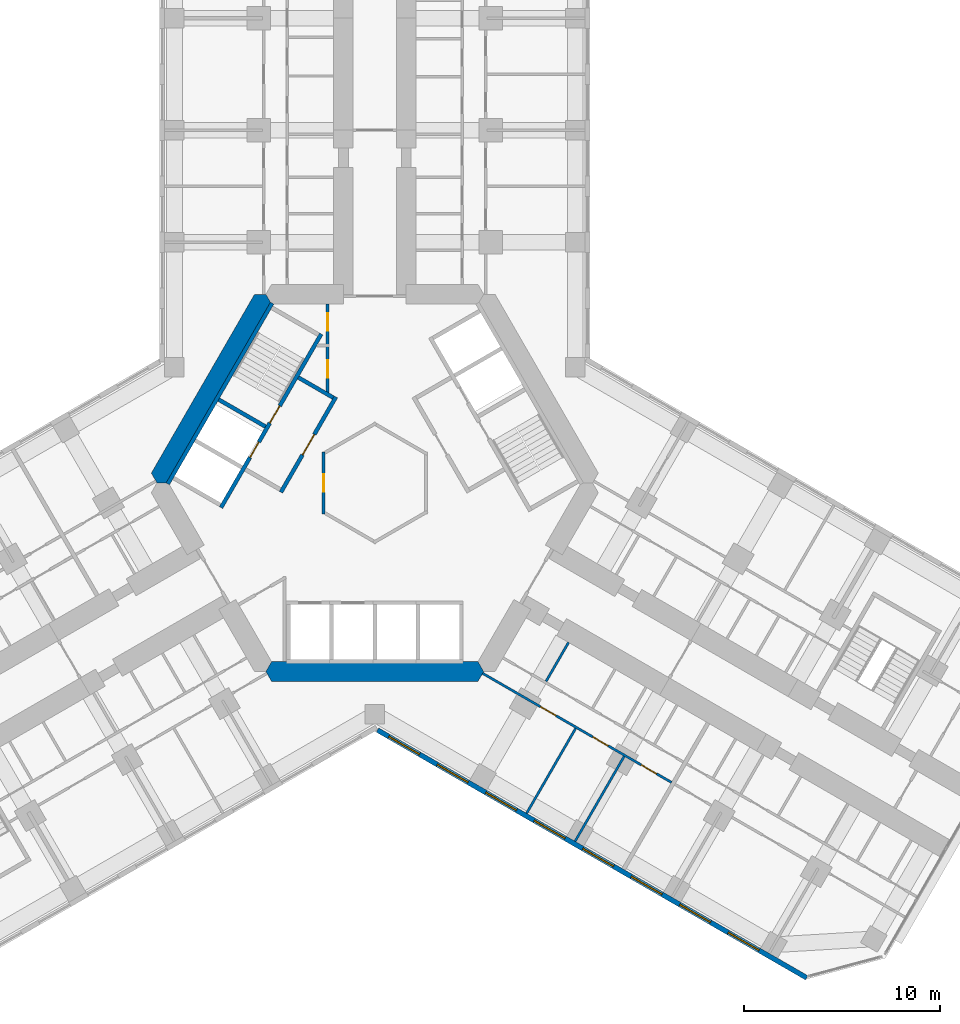
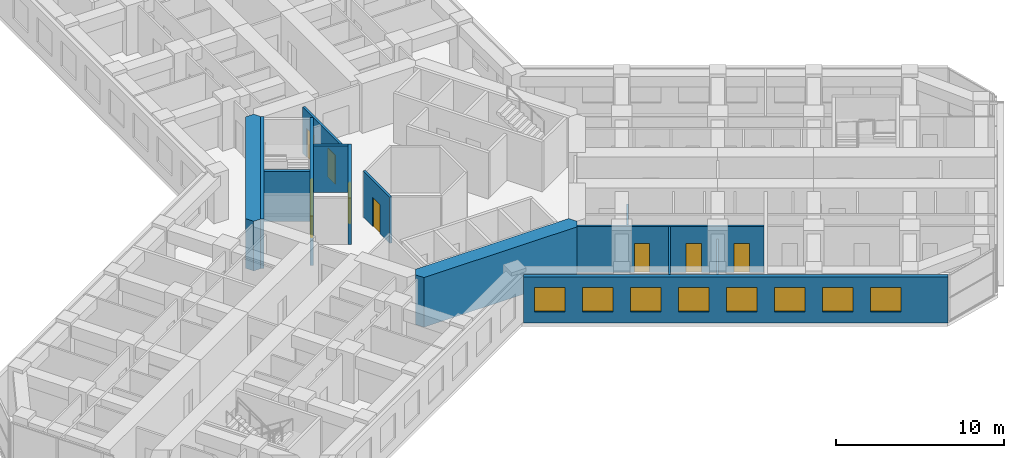
# One storey, part 13 of 21: 14 walls, 9 doors, 8 windows, 17 openings.
"""IFC4 building model written with IfcOpenShell, lengths in metres."""

from ifc_helpers import new_model, si_unit, direction, frame, frame_2d, origin, place, context, subcontext, project, spatial, polyline, rectangle, outline, extrude, material, layer, layer_set, type_object, element, fill, save


model = new_model("IFC4")

# Units and contexts
model_context = context("Model", 3, precision=1e-05, world=origin(), true_north=direction((0.0, 1.0)))
body_context = subcontext(model_context, "Body", "Model", "MODEL_VIEW")
ifc_project = project(units=[si_unit("LENGTHUNIT", "METRE"), si_unit("AREAUNIT", "SQUARE_METRE"), si_unit("VOLUMEUNIT", "CUBIC_METRE"), si_unit("PLANEANGLEUNIT", "RADIAN"), si_unit("MASSUNIT", "GRAM", prefix="KILO")], contexts=[model_context])

# Site, building, storey
site_placement = place(None, origin())
site = spatial("IfcSite", under=ifc_project, at=site_placement, CompositionType="ELEMENT")
building_placement = place(site_placement, origin())
building = spatial("IfcBuilding", under=site, at=building_placement, Name="Kosmar Iwan School Tower", CompositionType="ELEMENT")
storey_placement = place(building_placement, frame((0.0, 0.0, 53.800048828125)))
storey = spatial("IfcBuildingStorey", under=building, at=storey_placement, Name="L12", CompositionType="ELEMENT", Elevation=53.800048828125)

# Wall, openings, doors
ifc_material_1 = material(Name="Gypsum board on steel studs, fire-rated", Category="steel")
ifc_layer_1 = layer(ifc_material_1, 0.14990234375)
ifc_layer_set_1 = layer_set([ifc_layer_1], Name="Core room partition 150")
wall_type_1 = type_object("IfcWallType", Name="Core room partition 150", PredefinedType="PARTITIONING", material=ifc_layer_set_1)
wall_1_placement = place(storey_placement, frame((-2.39990234375, 9.094970703125, 0.0), z_axis=(0.0, 0.0, 1.0), x_axis=(0.0, -1.0, 0.0)))
wall_1 = element("IfcWall", 1, at=wall_1_placement, inside=storey, type_object=wall_type_1, Name="Core room partition L12-CW1", PredefinedType="PARTITIONING", context=body_context, shape_type="SweptSolid", body=[
    extrude(rectangle(XDim=4.564208984375, YDim=0.14990234375, at=frame_2d((2.2822265625, 0.0))), origin(), (0.0, 0.0, 1.0), 3.349853515625),
])
opening_1_placement = place(wall_1_placement, frame((0.455078125, 0.0, 0.0)))
opening_1 = element("IfcOpeningElement", 2, at=opening_1_placement, cuts=wall_1, Name="Opening D14", PredefinedType="OPENING", context=body_context, shape_type="SweptSolid", body=[
    extrude(rectangle(XDim=0.89990234375, YDim=2.10009765625, at=frame_2d((0.449951171875, 1.050048828125))), frame((0.0, 0.0869140625, 0.0), z_axis=(0.0, -1.0, 0.0), x_axis=(1.0, 0.0, 0.0)), (0.0, 0.0, 1.0), 0.173828125),
])
opening_2_placement = place(wall_1_placement, frame((2.85498046875, 0.0, 0.0)))
opening_2 = element("IfcOpeningElement", 3, at=opening_2_placement, cuts=wall_1, Name="Opening D14", PredefinedType="OPENING", context=body_context, shape_type="SweptSolid", body=[
    extrude(rectangle(XDim=0.89990234375, YDim=2.10009765625, at=frame_2d((0.449951171875, 1.050048828125))), frame((0.0, 0.0869140625, 0.0), z_axis=(0.0, -1.0, 0.0), x_axis=(1.0, 0.0, 0.0)), (0.0, 0.0, 1.0), 0.173828125),
])
ifc_material_2 = material(Name="Timber fire door in steel frame", Category="steel")
door_type_1 = type_object("IfcDoorType", Name="Core room door 900x2100", OperationType="SINGLE_SWING_LEFT", PredefinedType="DOOR", material=ifc_material_2)
door_1_placement = place(opening_1_placement, origin())
door_1 = element("IfcDoor", 4, at=door_1_placement, inside=storey, type_object=door_type_1, Name="Electrical riser and switch room door L12 1", OperationType="SINGLE_SWING_LEFT", OverallHeight=2.10009765625, OverallWidth=0.89990234375, PredefinedType="DOOR", context=body_context, shape_type="SweptSolid", body=[
    extrude(rectangle(XDim=0.89990234375, YDim=2.10009765625, at=frame_2d((0.449951171875, 1.050048828125))), frame((0.0, 0.02490234375, 0.0), z_axis=(0.0, -1.0, 0.0), x_axis=(1.0, 0.0, 0.0)), (0.0, 0.0, 1.0), 0.050048828125),
])
fill(opening_1, door_1)
door_2_placement = place(opening_2_placement, origin())
door_2 = element("IfcDoor", 5, at=door_2_placement, inside=storey, type_object=door_type_1, Name="Plumbing and wet riser door L12 2", OperationType="SINGLE_SWING_RIGHT", OverallHeight=2.10009765625, OverallWidth=0.89990234375, PredefinedType="DOOR", context=body_context, shape_type="SweptSolid", body=[
    extrude(rectangle(XDim=0.89990234375, YDim=2.10009765625, at=frame_2d((0.449951171875, 1.050048828125))), frame((0.0, 0.02490234375, 0.0), z_axis=(0.0, -1.0, 0.0), x_axis=(1.0, 0.0, 0.0)), (0.0, 0.0, 1.0), 0.050048828125),
])
fill(opening_2, door_2)

# Wall, opening, door
wall_2_placement = place(storey_placement, frame((-2.60009765625, -1.576171875, 0.0), z_axis=(0.0, 0.0, 1.0), x_axis=(0.0, 1.0, 0.0)))
wall_2 = element("IfcWall", 6, at=wall_2_placement, inside=storey, type_object=wall_type_1, Name="Core room partition L12-CW6", PredefinedType="PARTITIONING", context=body_context, shape_type="SweptSolid", body=[
    extrude(rectangle(XDim=3.15234375, YDim=0.14990234375, at=frame_2d((1.576171875, 0.0))), origin(), (0.0, 0.0, 1.0), 3.349853515625),
])
opening_3_placement = place(wall_2_placement, frame((1.1259765625, 0.0, 0.0)))
opening_3 = element("IfcOpeningElement", 7, at=opening_3_placement, cuts=wall_2, Name="Opening D14", PredefinedType="OPENING", context=body_context, shape_type="SweptSolid", body=[
    extrude(rectangle(XDim=0.89990234375, YDim=2.10009765625, at=frame_2d((0.449951171875, 1.050048828125))), frame((0.0, 0.0869140625, 0.0), z_axis=(0.0, -1.0, 0.0), x_axis=(1.0, 0.0, 0.0)), (0.0, 0.0, 1.0), 0.173828125),
])
door_3_placement = place(opening_3_placement, origin())
door_3 = element("IfcDoor", 8, at=door_3_placement, inside=storey, type_object=door_type_1, Name="Residents' laundry room door L12 3", OperationType="SINGLE_SWING_RIGHT", OverallHeight=2.10009765625, OverallWidth=0.89990234375, PredefinedType="DOOR", context=body_context, shape_type="SweptSolid", body=[
    extrude(rectangle(XDim=0.89990234375, YDim=2.10009765625, at=frame_2d((0.449951171875, 1.050048828125))), frame((0.0, 0.02490234375, 0.0), z_axis=(0.0, -1.0, 0.0), x_axis=(1.0, 0.0, 0.0)), (0.0, 0.0, 1.0), 0.050048828125),
])
fill(opening_3, door_3)

# Walls
ifc_material_3 = material(Name="Concrete C50/60", Category="concrete")
ifc_layer_2 = layer(ifc_material_3, 1.0)
ifc_layer_set_2 = layer_set([ifc_layer_2], Name="Core wall 1000")
wall_type_2 = type_object("IfcWallType", Name="Core wall 1000", PredefinedType="SHEAR", material=ifc_layer_set_2)
wall_3_placement = place(storey_placement, origin())
element("IfcWall", 9, at=wall_3_placement, inside=storey, type_object=wall_type_2, Name="Core wall F150", PredefinedType="SHEAR", context=body_context, shape_type="SweptSolid", body=[
    extrude(outline(polyline([(-11.085205078125, 0.0), (-10.5078125, 0.0), (-5.25390625, 9.10009765625), (-5.54248046875, 9.60009765625), (-6.119873046875, 9.60009765625), (-11.373779296875, 0.5), (-11.085205078125, 0.0)])), origin(), (0.0, 0.0, 1.0), 3.599853515625),
])
wall_4_placement = place(storey_placement, origin())
element("IfcWall", 10, at=wall_4_placement, inside=storey, type_object=wall_type_2, Name="Core wall F270", PredefinedType="SHEAR", context=body_context, shape_type="SweptSolid", body=[
    extrude(outline(polyline([(-5.25390625, -10.10009765625), (5.25390625, -10.10009765625), (5.54248046875, -9.60009765625), (5.25390625, -9.10009765625), (-5.25390625, -9.10009765625), (-5.54248046875, -9.60009765625), (-5.25390625, -10.10009765625)])), origin(), (0.0, 0.0, 1.0), 3.599853515625),
])

# Wall, openings, doors
ifc_material_4 = material(Name="Gypsum board on steel studs", Category="steel")
ifc_layer_3 = layer(ifc_material_4, 0.1201171875)
ifc_layer_set_3 = layer_set([ifc_layer_3], Name="Dwelling partition 120")
wall_type_3 = type_object("IfcWallType", Name="Dwelling partition 120", PredefinedType="PARTITIONING", material=ifc_layer_set_3)
wall_5_placement = place(storey_placement, frame((5.48876953125, -9.693115234375, 0.0), z_axis=(0.0, 0.0, 1.0), x_axis=(0.866026992824, -0.499997247692, 0.0)))
wall_5 = element("IfcWall", 11, at=wall_5_placement, inside=storey, type_object=wall_type_3, Name="Partition L12-CR1-W2", PredefinedType="PARTITIONING", context=body_context, shape_type="SweptSolid", body=[
    extrude(rectangle(XDim=11.10009765625, YDim=0.1201171875, at=frame_2d((5.550048828125, 0.0))), origin(), (0.0, 0.0, 1.0), 3.349853515625),
])
opening_4_placement = place(wall_5_placement, frame((3.39990234375, 0.0, 0.0)))
opening_4 = element("IfcOpeningElement", 12, at=opening_4_placement, cuts=wall_5, Name="Opening D2", PredefinedType="OPENING", context=body_context, shape_type="SweptSolid", body=[
    extrude(rectangle(XDim=0.89990234375, YDim=2.10009765625, at=frame_2d((0.449951171875, 1.050048828125))), frame((0.0, 0.072021484375, 0.0), z_axis=(0.0, -1.0, 0.0), x_axis=(1.0, 0.0, 0.0)), (0.0, 0.0, 1.0), 0.14404296875),
])
opening_5_placement = place(wall_5_placement, frame((6.47509765625, 0.0, 0.0)))
opening_5 = element("IfcOpeningElement", 13, at=opening_5_placement, cuts=wall_5, Name="Opening D2", PredefinedType="OPENING", context=body_context, shape_type="SweptSolid", body=[
    extrude(rectangle(XDim=0.89990234375, YDim=2.10009765625, at=frame_2d((0.449951171875, 1.050048828125))), frame((0.0, 0.072021484375, 0.0), z_axis=(0.0, -1.0, 0.0), x_axis=(1.0, 0.0, 0.0)), (0.0, 0.0, 1.0), 0.14404296875),
])
opening_6_placement = place(wall_5_placement, frame((9.324951171875, 0.0, 0.0)))
opening_6 = element("IfcOpeningElement", 14, at=opening_6_placement, cuts=wall_5, Name="Opening D2", PredefinedType="OPENING", context=body_context, shape_type="SweptSolid", body=[
    extrude(rectangle(XDim=0.89990234375, YDim=2.10009765625, at=frame_2d((0.449951171875, 1.050048828125))), frame((0.0, 0.072021484375, 0.0), z_axis=(0.0, -1.0, 0.0), x_axis=(1.0, 0.0, 0.0)), (0.0, 0.0, 1.0), 0.14404296875),
])
ifc_material_5 = material(Name="Timber door in timber frame", Category="wood")
door_type_2 = type_object("IfcDoorType", Name="Internal door 900x2100", OperationType="SINGLE_SWING_LEFT", PredefinedType="DOOR", material=ifc_material_5)
door_4_placement = place(opening_4_placement, origin())
door_4 = element("IfcDoor", 15, at=door_4_placement, inside=storey, type_object=door_type_2, Name="Living room and kitchen door L12-CR1-F1", OperationType="SINGLE_SWING_LEFT", OverallHeight=2.10009765625, OverallWidth=0.89990234375, PredefinedType="DOOR", context=body_context, shape_type="SweptSolid", body=[
    extrude(rectangle(XDim=0.89990234375, YDim=2.10009765625, at=frame_2d((0.449951171875, 1.050048828125))), frame((0.0, 0.02490234375, 0.0), z_axis=(0.0, -1.0, 0.0), x_axis=(1.0, 0.0, 0.0)), (0.0, 0.0, 1.0), 0.050048828125),
])
fill(opening_4, door_4)
door_5_placement = place(opening_5_placement, origin())
door_5 = element("IfcDoor", 16, at=door_5_placement, inside=storey, type_object=door_type_2, Name="Bedroom 1 door L12-CR1-F2", OperationType="SINGLE_SWING_RIGHT", OverallHeight=2.10009765625, OverallWidth=0.89990234375, PredefinedType="DOOR", context=body_context, shape_type="SweptSolid", body=[
    extrude(rectangle(XDim=0.89990234375, YDim=2.10009765625, at=frame_2d((0.449951171875, 1.050048828125))), frame((0.0, 0.02490234375, 0.0), z_axis=(0.0, -1.0, 0.0), x_axis=(1.0, 0.0, 0.0)), (0.0, 0.0, 1.0), 0.050048828125),
])
fill(opening_5, door_5)
door_6_placement = place(opening_6_placement, origin())
door_6 = element("IfcDoor", 17, at=door_6_placement, inside=storey, type_object=door_type_2, Name="Bedroom 2 door L12-CR1-F3", OperationType="SINGLE_SWING_RIGHT", OverallHeight=2.10009765625, OverallWidth=0.89990234375, PredefinedType="DOOR", context=body_context, shape_type="SweptSolid", body=[
    extrude(rectangle(XDim=0.89990234375, YDim=2.10009765625, at=frame_2d((0.449951171875, 1.050048828125))), frame((0.0, 0.02490234375, 0.0), z_axis=(0.0, -1.0, 0.0), x_axis=(1.0, 0.0, 0.0)), (0.0, 0.0, 1.0), 0.050048828125),
])
fill(opening_6, door_6)

# Walls
wall_6_placement = place(storey_placement, frame((10.221923828125, -12.4951171875, 0.0), z_axis=(0.0, 0.0, 1.0), x_axis=(-0.499996339024, -0.86602751744, 0.0)))
element("IfcWall", 18, at=wall_6_placement, inside=storey, type_object=wall_type_3, Name="Partition L12-CR1-X1", PredefinedType="PARTITIONING", context=body_context, shape_type="SweptSolid", body=[
    extrude(rectangle(XDim=4.98974609375, YDim=0.1201171875, at=frame_2d((2.494873046875, 0.0))), origin(), (0.0, 0.0, 1.0), 3.349853515625),
])
wall_7_placement = place(storey_placement, frame((12.690185546875, -13.919921875, 0.0), z_axis=(0.0, 0.0, 1.0), x_axis=(-0.500011847778, -0.866018563358, 0.0)))
element("IfcWall", 19, at=wall_7_placement, inside=storey, type_object=wall_type_3, Name="Partition L12-CR1-X2", PredefinedType="PARTITIONING", context=body_context, shape_type="SweptSolid", body=[
    extrude(rectangle(XDim=4.990234375, YDim=0.1201171875, at=frame_2d((2.4951171875, 0.0))), origin(), (0.0, 0.0, 1.0), 2.449951171875),
])
wall_8_placement = place(storey_placement, frame((9.86181640625, -8.11865234375, 0.0), z_axis=(0.0, 0.0, 1.0), x_axis=(-0.500014693593, -0.866016920268, 0.0)))
element("IfcWall", 20, at=wall_8_placement, inside=storey, type_object=wall_type_3, Name="Partition L12-CR1-Y1", PredefinedType="PARTITIONING", context=body_context, shape_type="SweptSolid", body=[
    extrude(rectangle(XDim=2.2900390625, YDim=0.1201171875, at=frame_2d((1.14501953125, 0.0))), origin(), (0.0, 0.0, 1.0), 2.449951171875),
])

# Wall, openings, windows
ifc_material_6 = material(Name="Black aluminium rainscreen on insulated framing", Category="aluminium")
ifc_layer_4 = layer(ifc_material_6, 0.25)
ifc_layer_set_4 = layer_set([ifc_layer_4], Name="External wall rainscreen 250")
wall_type_4 = type_object("IfcWallType", Name="External wall rainscreen 250", PredefinedType="SOLIDWALL", material=ifc_layer_set_4)
wall_9_placement = place(storey_placement, frame((0.137939453125, -12.5791015625, 0.0), z_axis=(0.0, 0.0, 1.0), x_axis=(0.866023775649, -0.500002820003, 0.0)))
wall_9 = element("IfcWall", 21, at=wall_9_placement, inside=storey, type_object=wall_type_4, Name="External wall CR L12", PredefinedType="SOLIDWALL", context=body_context, shape_type="SweptSolid", body=[
    extrude(rectangle(XDim=25.226318359375, YDim=0.25, at=frame_2d((12.61328125, 0.0))), origin(), (0.0, 0.0, 1.0), 3.349853515625),
])
opening_7_placement = place(wall_9_placement, frame((0.666015625, 0.0, 0.800048828125)))
opening_7 = element("IfcOpeningElement", 22, at=opening_7_placement, cuts=wall_9, Name="Opening W1", PredefinedType="OPENING", context=body_context, shape_type="SweptSolid", body=[
    extrude(rectangle(XDim=1.800048828125, YDim=1.800048828125, at=frame_2d((0.89990234375, 0.89990234375))), frame((0.0, 0.136962890625, 0.0), z_axis=(0.0, -1.0, 0.0), x_axis=(1.0, 0.0, 0.0)), (0.0, 0.0, 1.0), 0.27392578125),
])
opening_8_placement = place(wall_9_placement, frame((3.51611328125, 0.0, 0.800048828125)))
opening_8 = element("IfcOpeningElement", 23, at=opening_8_placement, cuts=wall_9, Name="Opening W1", PredefinedType="OPENING", context=body_context, shape_type="SweptSolid", body=[
    extrude(rectangle(XDim=1.800048828125, YDim=1.800048828125, at=frame_2d((0.89990234375, 0.89990234375))), frame((0.0, 0.136962890625, 0.0), z_axis=(0.0, -1.0, 0.0), x_axis=(1.0, 0.0, 0.0)), (0.0, 0.0, 1.0), 0.27392578125),
])
opening_9_placement = place(wall_9_placement, frame((6.365966796875, 0.0, 0.800048828125)))
opening_9 = element("IfcOpeningElement", 24, at=opening_9_placement, cuts=wall_9, Name="Opening W1", PredefinedType="OPENING", context=body_context, shape_type="SweptSolid", body=[
    extrude(rectangle(XDim=1.800048828125, YDim=1.800048828125, at=frame_2d((0.89990234375, 0.89990234375))), frame((0.0, 0.136962890625, 0.0), z_axis=(0.0, -1.0, 0.0), x_axis=(1.0, 0.0, 0.0)), (0.0, 0.0, 1.0), 0.27392578125),
])
opening_10_placement = place(wall_9_placement, frame((9.216064453125, 0.0, 0.800048828125)))
opening_10 = element("IfcOpeningElement", 25, at=opening_10_placement, cuts=wall_9, Name="Opening W1", PredefinedType="OPENING", context=body_context, shape_type="SweptSolid", body=[
    extrude(rectangle(XDim=1.800048828125, YDim=1.800048828125, at=frame_2d((0.89990234375, 0.89990234375))), frame((0.0, 0.136962890625, 0.0), z_axis=(0.0, -1.0, 0.0), x_axis=(1.0, 0.0, 0.0)), (0.0, 0.0, 1.0), 0.27392578125),
])
opening_11_placement = place(wall_9_placement, frame((12.06591796875, 0.0, 0.800048828125)))
opening_11 = element("IfcOpeningElement", 26, at=opening_11_placement, cuts=wall_9, Name="Opening W1", PredefinedType="OPENING", context=body_context, shape_type="SweptSolid", body=[
    extrude(rectangle(XDim=1.800048828125, YDim=1.800048828125, at=frame_2d((0.89990234375, 0.89990234375))), frame((0.0, 0.136962890625, 0.0), z_axis=(0.0, -1.0, 0.0), x_axis=(1.0, 0.0, 0.0)), (0.0, 0.0, 1.0), 0.27392578125),
])
opening_12_placement = place(wall_9_placement, frame((14.916015625, 0.0, 0.800048828125)))
opening_12 = element("IfcOpeningElement", 27, at=opening_12_placement, cuts=wall_9, Name="Opening W1", PredefinedType="OPENING", context=body_context, shape_type="SweptSolid", body=[
    extrude(rectangle(XDim=1.800048828125, YDim=1.800048828125, at=frame_2d((0.89990234375, 0.89990234375))), frame((0.0, 0.136962890625, 0.0), z_axis=(0.0, -1.0, 0.0), x_axis=(1.0, 0.0, 0.0)), (0.0, 0.0, 1.0), 0.27392578125),
])
opening_13_placement = place(wall_9_placement, frame((17.76611328125, 0.0, 0.800048828125)))
opening_13 = element("IfcOpeningElement", 28, at=opening_13_placement, cuts=wall_9, Name="Opening W1", PredefinedType="OPENING", context=body_context, shape_type="SweptSolid", body=[
    extrude(rectangle(XDim=1.800048828125, YDim=1.800048828125, at=frame_2d((0.89990234375, 0.89990234375))), frame((0.0, 0.136962890625, 0.0), z_axis=(0.0, -1.0, 0.0), x_axis=(1.0, 0.0, 0.0)), (0.0, 0.0, 1.0), 0.27392578125),
])
opening_14_placement = place(wall_9_placement, frame((20.615966796875, 0.0, 0.800048828125)))
opening_14 = element("IfcOpeningElement", 29, at=opening_14_placement, cuts=wall_9, Name="Opening W1", PredefinedType="OPENING", context=body_context, shape_type="SweptSolid", body=[
    extrude(rectangle(XDim=1.800048828125, YDim=1.800048828125, at=frame_2d((0.89990234375, 0.89990234375))), frame((0.0, 0.136962890625, 0.0), z_axis=(0.0, -1.0, 0.0), x_axis=(1.0, 0.0, 0.0)), (0.0, 0.0, 1.0), 0.27392578125),
])
ifc_material_7 = material(Name="Black aluminium frame with dark triple glazing", Category="aluminium")
window_type = type_object("IfcWindowType", Name="Window 1800x1800", PartitioningType="SINGLE_PANEL", PredefinedType="WINDOW", material=ifc_material_7)
window_1_placement = place(opening_7_placement, origin())
window_1 = element("IfcWindow", 30, at=window_1_placement, inside=storey, type_object=window_type, Name="Window CR L12 -1", OverallHeight=1.800048828125, OverallWidth=1.800048828125, PartitioningType="SINGLE_PANEL", PredefinedType="WINDOW", context=body_context, shape_type="SweptSolid", body=[
    extrude(rectangle(XDim=1.800048828125, YDim=1.800048828125, at=frame_2d((0.89990234375, 0.89990234375))), frame((0.0, 0.030029296875, 0.0), z_axis=(0.0, -1.0, 0.0), x_axis=(1.0, 0.0, 0.0)), (0.0, 0.0, 1.0), 0.06005859375),
])
fill(opening_7, window_1)
window_2_placement = place(opening_8_placement, origin())
window_2 = element("IfcWindow", 31, at=window_2_placement, inside=storey, type_object=window_type, Name="Window CR L12 0", OverallHeight=1.800048828125, OverallWidth=1.800048828125, PartitioningType="SINGLE_PANEL", PredefinedType="WINDOW", context=body_context, shape_type="SweptSolid", body=[
    extrude(rectangle(XDim=1.800048828125, YDim=1.800048828125, at=frame_2d((0.89990234375, 0.89990234375))), frame((0.0, 0.030029296875, 0.0), z_axis=(0.0, -1.0, 0.0), x_axis=(1.0, 0.0, 0.0)), (0.0, 0.0, 1.0), 0.06005859375),
])
fill(opening_8, window_2)
window_3_placement = place(opening_9_placement, origin())
window_3 = element("IfcWindow", 32, at=window_3_placement, inside=storey, type_object=window_type, Name="Window CR L12 1", OverallHeight=1.800048828125, OverallWidth=1.800048828125, PartitioningType="SINGLE_PANEL", PredefinedType="WINDOW", context=body_context, shape_type="SweptSolid", body=[
    extrude(rectangle(XDim=1.800048828125, YDim=1.800048828125, at=frame_2d((0.89990234375, 0.89990234375))), frame((0.0, 0.030029296875, 0.0), z_axis=(0.0, -1.0, 0.0), x_axis=(1.0, 0.0, 0.0)), (0.0, 0.0, 1.0), 0.06005859375),
])
fill(opening_9, window_3)
window_4_placement = place(opening_10_placement, origin())
window_4 = element("IfcWindow", 33, at=window_4_placement, inside=storey, type_object=window_type, Name="Window CR L12 2", OverallHeight=1.800048828125, OverallWidth=1.800048828125, PartitioningType="SINGLE_PANEL", PredefinedType="WINDOW", context=body_context, shape_type="SweptSolid", body=[
    extrude(rectangle(XDim=1.800048828125, YDim=1.800048828125, at=frame_2d((0.89990234375, 0.89990234375))), frame((0.0, 0.030029296875, 0.0), z_axis=(0.0, -1.0, 0.0), x_axis=(1.0, 0.0, 0.0)), (0.0, 0.0, 1.0), 0.06005859375),
])
fill(opening_10, window_4)
window_5_placement = place(opening_11_placement, origin())
window_5 = element("IfcWindow", 34, at=window_5_placement, inside=storey, type_object=window_type, Name="Window CR L12 3", OverallHeight=1.800048828125, OverallWidth=1.800048828125, PartitioningType="SINGLE_PANEL", PredefinedType="WINDOW", context=body_context, shape_type="SweptSolid", body=[
    extrude(rectangle(XDim=1.800048828125, YDim=1.800048828125, at=frame_2d((0.89990234375, 0.89990234375))), frame((0.0, 0.030029296875, 0.0), z_axis=(0.0, -1.0, 0.0), x_axis=(1.0, 0.0, 0.0)), (0.0, 0.0, 1.0), 0.06005859375),
])
fill(opening_11, window_5)
window_6_placement = place(opening_12_placement, origin())
window_6 = element("IfcWindow", 35, at=window_6_placement, inside=storey, type_object=window_type, Name="Window CR L12 4", OverallHeight=1.800048828125, OverallWidth=1.800048828125, PartitioningType="SINGLE_PANEL", PredefinedType="WINDOW", context=body_context, shape_type="SweptSolid", body=[
    extrude(rectangle(XDim=1.800048828125, YDim=1.800048828125, at=frame_2d((0.89990234375, 0.89990234375))), frame((0.0, 0.030029296875, 0.0), z_axis=(0.0, -1.0, 0.0), x_axis=(1.0, 0.0, 0.0)), (0.0, 0.0, 1.0), 0.06005859375),
])
fill(opening_12, window_6)
window_7_placement = place(opening_13_placement, origin())
window_7 = element("IfcWindow", 36, at=window_7_placement, inside=storey, type_object=window_type, Name="Window CR L12 5", OverallHeight=1.800048828125, OverallWidth=1.800048828125, PartitioningType="SINGLE_PANEL", PredefinedType="WINDOW", context=body_context, shape_type="SweptSolid", body=[
    extrude(rectangle(XDim=1.800048828125, YDim=1.800048828125, at=frame_2d((0.89990234375, 0.89990234375))), frame((0.0, 0.030029296875, 0.0), z_axis=(0.0, -1.0, 0.0), x_axis=(1.0, 0.0, 0.0)), (0.0, 0.0, 1.0), 0.06005859375),
])
fill(opening_13, window_7)
window_8_placement = place(opening_14_placement, origin())
window_8 = element("IfcWindow", 37, at=window_8_placement, inside=storey, type_object=window_type, Name="Window CR L12 6", OverallHeight=1.800048828125, OverallWidth=1.800048828125, PartitioningType="SINGLE_PANEL", PredefinedType="WINDOW", context=body_context, shape_type="SweptSolid", body=[
    extrude(rectangle(XDim=1.800048828125, YDim=1.800048828125, at=frame_2d((0.89990234375, 0.89990234375))), frame((0.0, 0.030029296875, 0.0), z_axis=(0.0, -1.0, 0.0), x_axis=(1.0, 0.0, 0.0)), (0.0, 0.0, 1.0), 0.06005859375),
])
fill(opening_14, window_8)

# Wall, opening, door
ifc_material_8 = material(Name="Concrete block masonry", Category="masonry")
ifc_layer_5 = layer(ifc_material_8, 0.199951171875)
ifc_layer_set_5 = layer_set([ifc_layer_5], Name="Fire lobby wall 200")
wall_type_5 = type_object("IfcWallType", Name="Fire lobby wall 200", PredefinedType="PARTITIONING", material=ifc_layer_set_5)
wall_10_placement = place(storey_placement, frame((-1.9775390625, 4.374755859375, 0.0), z_axis=(0.0, 0.0, 1.0), x_axis=(-0.500016814911, -0.866015695474, 0.0)))
wall_10 = element("IfcWall", 38, at=wall_10_placement, inside=storey, type_object=wall_type_5, Name="Firefighting lobby wall ST2", PredefinedType="PARTITIONING", context=body_context, shape_type="SweptSolid", body=[
    extrude(rectangle(XDim=5.599853515625, YDim=0.199951171875, at=frame_2d((2.7998046875, 0.0))), origin(), (0.0, 0.0, 1.0), 3.349853515625),
])
opening_15_placement = place(wall_10_placement, frame((2.199951171875, 0.0, 0.0)))
opening_15 = element("IfcOpeningElement", 39, at=opening_15_placement, cuts=wall_10, Name="Opening D7", PredefinedType="OPENING", context=body_context, shape_type="SweptSolid", body=[
    extrude(rectangle(XDim=1.199951171875, YDim=2.10009765625, at=frame_2d((0.60009765625, 1.050048828125))), frame((0.0, 0.112060546875, 0.0), z_axis=(0.0, -1.0, 0.0), x_axis=(1.0, 0.0, 0.0)), (0.0, 0.0, 1.0), 0.223876953125),
])
ifc_material_9 = material(Name="Steel fire door", Category="steel")
door_type_3 = type_object("IfcDoorType", Name="Fire lobby door 1200x2100", OperationType="SINGLE_SWING_LEFT", PredefinedType="DOOR", material=ifc_material_9)
door_7_placement = place(opening_15_placement, frame((1.199951171875, 0.0, 0.0), z_axis=(0.0, 0.0, 1.0), x_axis=(-1.0, 0.0, 0.0)))
door_7 = element("IfcDoor", 40, at=door_7_placement, inside=storey, type_object=door_type_3, Name="Firefighting lobby door ST2 L12", OperationType="SINGLE_SWING_LEFT", OverallHeight=2.10009765625, OverallWidth=1.199951171875, PredefinedType="DOOR", context=body_context, shape_type="SweptSolid", body=[
    extrude(rectangle(XDim=1.199951171875, YDim=2.10009765625, at=frame_2d((0.60009765625, 1.050048828125))), frame((0.0, 0.02490234375, 0.0), z_axis=(0.0, -1.0, 0.0), x_axis=(1.0, 0.0, 0.0)), (0.0, 0.0, 1.0), 0.050048828125),
])
fill(opening_15, door_7)

# Wall
wall_11_placement = place(storey_placement, frame((-2.114013671875, 4.33837890625, 0.0), z_axis=(0.0, 0.0, 1.0), x_axis=(-0.866050731258, 0.499956128963, 0.0)))
element("IfcWall", 41, at=wall_11_placement, inside=storey, type_object=wall_type_5, Name="Firefighting lobby wall ST2", PredefinedType="PARTITIONING", context=body_context, shape_type="SweptSolid", body=[
    extrude(rectangle(XDim=2.050048828125, YDim=0.199951171875, at=frame_2d((1.02490234375, 0.0))), origin(), (0.0, 0.0, 1.0), 3.349853515625),
])

# Wall, openings, doors
ifc_material_10 = material(Name="Concrete C50/60", Category="concrete")
ifc_layer_6 = layer(ifc_material_10, 0.199951171875)
ifc_layer_set_6 = layer_set([ifc_layer_6], Name="Lift shaft wall 200")
wall_type_6 = type_object("IfcWallType", Name="Lift shaft wall 200", PredefinedType="SHEAR", material=ifc_layer_set_6)
wall_12_placement = place(storey_placement, frame((-2.72607421875, 7.578369140625, 0.0), z_axis=(0.0, 0.0, 1.0), x_axis=(-0.500005610874, -0.86602216432, 0.0)))
wall_12 = element("IfcWall", 42, at=wall_12_placement, inside=storey, type_object=wall_type_6, Name="Lift and stair front wall AB", PredefinedType="SHEAR", context=body_context, shape_type="SweptSolid", body=[
    extrude(rectangle(XDim=10.2001953125, YDim=0.199951171875, at=frame_2d((5.10009765625, 0.0))), origin(), (0.0, 0.0, 1.0), 3.599853515625),
])
opening_16_placement = place(wall_12_placement, frame((6.35009765625, 0.0, 0.0)))
opening_16 = element("IfcOpeningElement", 43, at=opening_16_placement, cuts=wall_12, Name="Opening LD2", PredefinedType="OPENING", context=body_context, shape_type="SweptSolid", body=[
    extrude(rectangle(XDim=0.89990234375, YDim=2.10009765625, at=frame_2d((0.449951171875, 1.050048828125))), frame((0.0, 0.112060546875, 0.0), z_axis=(0.0, -1.0, 0.0), x_axis=(1.0, 0.0, 0.0)), (0.0, 0.0, 1.0), 0.223876953125),
])
opening_17_placement = place(wall_12_placement, frame((4.22998046875, 0.0, 0.0)))
opening_17 = element("IfcOpeningElement", 44, at=opening_17_placement, cuts=wall_12, Name="Opening D6", PredefinedType="OPENING", context=body_context, shape_type="SweptSolid", body=[
    extrude(rectangle(XDim=1.0, YDim=2.10009765625, at=frame_2d((0.5, 1.050048828125))), frame((0.0, 0.112060546875, 0.0), z_axis=(0.0, -1.0, 0.0), x_axis=(1.0, 0.0, 0.0)), (0.0, 0.0, 1.0), 0.223876953125),
])
ifc_material_11 = material(Name="Stainless steel sliding lift door", Category="steel")
door_type_4 = type_object("IfcDoorType", Name="Firefighting lift landing door 900x2100", OperationType="SLIDING_TO_LEFT", PredefinedType="DOOR", material=ifc_material_11)
door_8_placement = place(opening_16_placement, origin())
door_8 = element("IfcDoor", 45, at=door_8_placement, inside=storey, type_object=door_type_4, Name="Lift FF2 landing door L12", OperationType="SLIDING_TO_LEFT", OverallHeight=2.10009765625, OverallWidth=0.89990234375, PredefinedType="DOOR", context=body_context, shape_type="SweptSolid", body=[
    extrude(rectangle(XDim=0.89990234375, YDim=2.10009765625, at=frame_2d((0.449951171875, 1.050048828125))), frame((0.0, 0.02490234375, 0.0), z_axis=(0.0, -1.0, 0.0), x_axis=(1.0, 0.0, 0.0)), (0.0, 0.0, 1.0), 0.050048828125),
])
fill(opening_16, door_8)
ifc_material_12 = material(Name="Steel fire door", Category="steel")
door_type_5 = type_object("IfcDoorType", Name="Stair door 1000x2100", OperationType="SINGLE_SWING_LEFT", PredefinedType="DOOR", material=ifc_material_12)
door_9_placement = place(opening_17_placement, origin())
door_9 = element("IfcDoor", 46, at=door_9_placement, inside=storey, type_object=door_type_5, Name="Stair ST2 door L12", OperationType="SINGLE_SWING_LEFT", OverallHeight=2.10009765625, OverallWidth=1.0, PredefinedType="DOOR", context=body_context, shape_type="SweptSolid", body=[
    extrude(rectangle(XDim=1.0, YDim=2.10009765625, at=frame_2d((0.5, 1.050048828125))), frame((0.0, 0.02490234375, 0.0), z_axis=(0.0, -1.0, 0.0), x_axis=(1.0, 0.0, 0.0)), (0.0, 0.0, 1.0), 0.050048828125),
])
fill(opening_17, door_9)

# Walls
wall_13_placement = place(storey_placement, frame((-5.22509765625, 9.14990234375, 0.0), z_axis=(0.0, 0.0, 1.0), x_axis=(-0.499994998079, -0.866028291626, 0.0)))
element("IfcWall", 47, at=wall_13_placement, inside=storey, type_object=wall_type_6, Name="Lift and stair back wall AB", PredefinedType="SHEAR", context=body_context, shape_type="SweptSolid", body=[
    extrude(rectangle(XDim=10.623046875, YDim=0.199951171875, at=frame_2d((5.3115234375, 0.0))), origin(), (0.0, 0.0, 1.0), 3.599853515625),
])
ifc_material_13 = material(Name="Concrete C50/60", Category="concrete")
ifc_layer_7 = layer(ifc_material_13, 0.199951171875)
ifc_layer_set_7 = layer_set([ifc_layer_7], Name="Stair enclosure wall 200")
wall_type_7 = type_object("IfcWallType", Name="Stair enclosure wall 200", PredefinedType="SHEAR", material=ifc_layer_set_7)
wall_14_placement = place(storey_placement, frame((-5.562744140625, 2.865234375, 0.0), z_axis=(0.0, 0.0, 1.0), x_axis=(-0.866027397988, 0.499996545922, 0.0)))
element("IfcWall", 48, at=wall_14_placement, inside=storey, type_object=wall_type_7, Name="Stair ST2 wall", PredefinedType="SHEAR", context=body_context, shape_type="SweptSolid", body=[
    extrude(rectangle(XDim=2.75, YDim=0.199951171875, at=frame_2d((1.375, 0.0))), origin(), (0.0, 0.0, 1.0), 3.599853515625),
])

save(model, "model.ifc")
